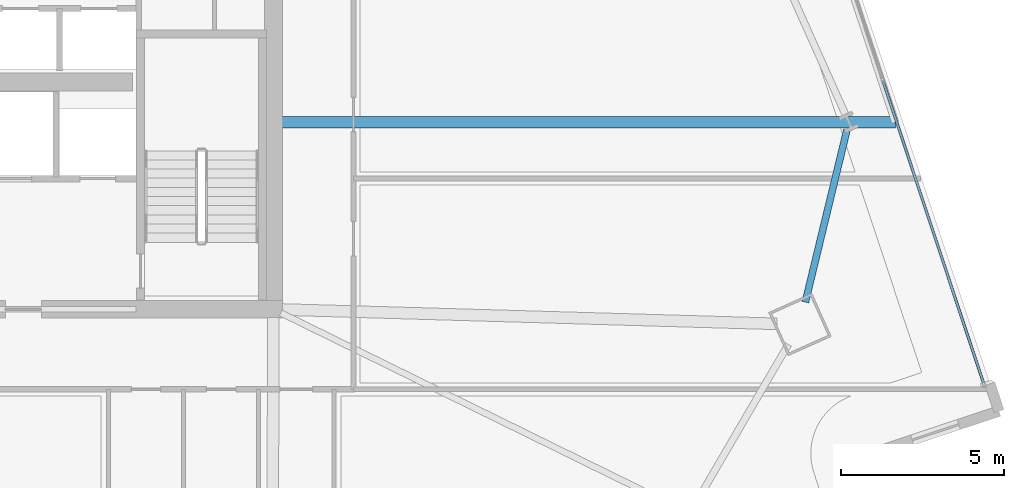
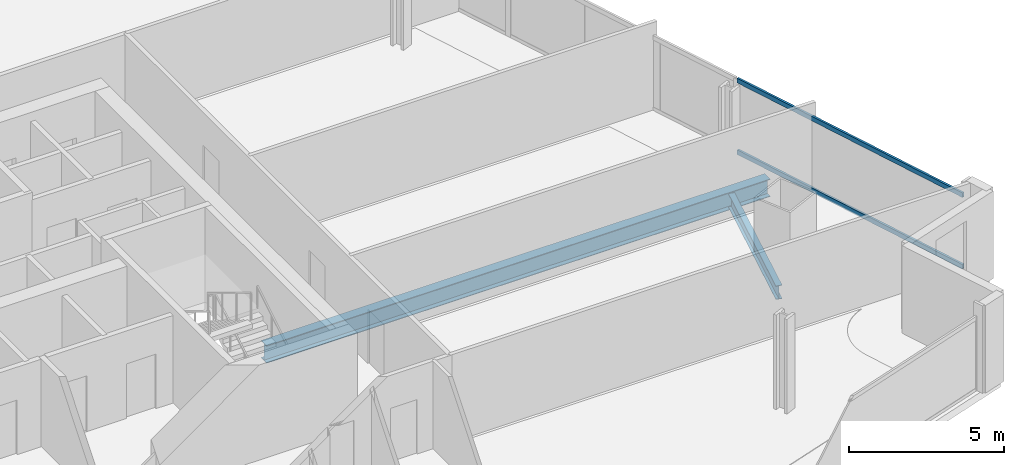
# One storey, part 13 of 34: 2 beams, 2 members, 1 element without a shape of its own.
"""IFC4 building model written with IfcOpenShell, lengths in metres."""

from ifc_helpers import new_model, si_unit, direction, frame, origin, origin_2d, place, context, subcontext, project, spatial, hollow_rectangle, i_section, extrude, material, material_profile, profile_set, type_object, element, aggregate, save


model = new_model("IFC4")

# Units and contexts
model_context = context("Model", 3, precision=1e-05, world=origin(), true_north=direction((0.0, 1.0)))
body_context = subcontext(model_context, "Body", "Model", "MODEL_VIEW")
ifc_project = project(units=[si_unit("LENGTHUNIT", "METRE"), si_unit("AREAUNIT", "SQUARE_METRE"), si_unit("VOLUMEUNIT", "CUBIC_METRE"), si_unit("PLANEANGLEUNIT", "RADIAN"), si_unit("MASSUNIT", "GRAM", prefix="KILO")], contexts=[model_context])

# Site, building, storey
site_placement = place(None, origin())
site = spatial("IfcSite", under=ifc_project, at=site_placement, CompositionType="ELEMENT")
building_placement = place(site_placement, origin())
building = spatial("IfcBuilding", under=site, at=building_placement, Name="Haldenkirk Collegiate Tower", CompositionType="ELEMENT")
storey_placement = place(building_placement, frame((0.0, 0.0, 90.449951171875)))
storey = spatial("IfcBuildingStorey", under=building, at=storey_placement, Name="L21", CompositionType="ELEMENT", Elevation=90.449951171875)

# Beams
ifc_material_1 = material(Name="Steel ASTM A992 Grade 50", Category="steel")
ifc_material_profile_1 = material_profile(ifc_material_1, i_section(OverallWidth=0.35498046875, OverallDepth=0.696044921875, WebThickness=0.015380859375, FlangeThickness=0.02490234375, at=origin_2d()), Name="W27X146")
ifc_profile_set_1 = profile_set([ifc_material_profile_1], Name="Steel ASTM A992 Grade 50")
beam_type_1 = type_object("IfcBeamType", Name="BM-GIRDER-W27X146", PredefinedType="BEAM", material=ifc_profile_set_1)
beam_1_placement = place(storey_placement, frame((64.030517578125, 23.727294921875, -0.64794921875), z_axis=(-1.0, 0.0, 0.0), x_axis=(0.0, -1.0, 0.0)))
element("IfcBeam", 1, at=beam_1_placement, inside=storey, type_object=beam_type_1, Name="L21 primary floor girder 08", PredefinedType="BEAM", context=body_context, shape_type="SweptSolid", body=[
    extrude(i_section(OverallWidth=0.35498046875, OverallDepth=0.696044921875, WebThickness=0.015380859375, FlangeThickness=0.02490234375, at=origin_2d()), origin(), (0.0, 0.0, 1.0), 18.775634765625),
])
ifc_material_profile_2 = material_profile(ifc_material_1, i_section(OverallWidth=0.2119140625, OverallDepth=0.5439453125, WebThickness=0.01318359375, FlangeThickness=0.021240234375, at=origin_2d()), Name="W21X83")
ifc_profile_set_2 = profile_set([ifc_material_profile_2], Name="Steel ASTM A992 Grade 50")
beam_type_2 = type_object("IfcBeamType", Name="BM-SPANDREL-W21X83", PredefinedType="SPANDREL", material=ifc_profile_set_2)
beam_2_placement = place(storey_placement, frame((61.277587890625, 18.21826171875, -0.572021484375), z_axis=(0.234815122269, 0.972040049768, 0.0), x_axis=(-0.972040049768, 0.234815122269, 0.0)))
element("IfcBeam", 2, at=beam_2_placement, inside=storey, type_object=beam_type_2, Name="L21 perimeter spandrel beam 05", PredefinedType="SPANDREL", context=body_context, shape_type="SweptSolid", body=[
    extrude(i_section(OverallWidth=0.2119140625, OverallDepth=0.5439453125, WebThickness=0.01318359375, FlangeThickness=0.021240234375, at=origin_2d()), origin(), (0.0, 0.0, 1.0), 5.422119140625),
])

# Curtain wall, members
ifc_material_2 = material(Name="Anodised architectural bronze aluminium", Category="aluminium")
curtain_wall_type = type_object("IfcCurtainWallType", Name="CW-SYS1-CONVEX-LOW", PredefinedType="USERDEFINED", material=ifc_material_2)
curtain_wall_placement = place(storey_placement, origin())
curtain_wall = element("IfcCurtainWall", 3, at=curtain_wall_placement, inside=storey, type_object=curtain_wall_type, Name="L21 Lower tower convex bronze-framed unitised curtain wall", ObjectType="UNITISED CURTAIN WALL", PredefinedType="USERDEFINED")
ifc_material_profile_3 = material_profile(ifc_material_2, hollow_rectangle(XDim=0.080078125, YDim=0.179931640625, WallThickness=0.0048828125, at=origin_2d()), Name="CW-TRN-1A")
ifc_profile_set_3 = profile_set([ifc_material_profile_3], Name="Anodised architectural bronze aluminium")
member_type = type_object("IfcMemberType", Name="CW-TRN-1A", PredefinedType="USERDEFINED", material=ifc_profile_set_3)
member_1_placement = place(storey_placement, frame((63.653564453125, 24.987060546875, 0.0400390625), z_axis=(0.315648098803, -0.948876323723, 0.0), x_axis=(0.948876323723, 0.315648098803, 0.0)))
member_1 = element("IfcMember", 4, at=member_1_placement, type_object=member_type, Name="CW-1A transom 4.1", ObjectType="TRANSOM", PredefinedType="USERDEFINED", context=body_context, shape_type="SweptSolid", body=[
    extrude(hollow_rectangle(XDim=0.080078125, YDim=0.179931640625, WallThickness=0.0048828125, at=origin_2d()), origin(), (0.0, 0.0, 1.0), 9.730224609375),
])
member_2_placement = place(storey_placement, frame((63.653564453125, 24.987060546875, 2.861083984375), z_axis=(0.315648098803, -0.948876323723, 0.0), x_axis=(0.948876323723, 0.315648098803, 0.0)))
member_2 = element("IfcMember", 5, at=member_2_placement, type_object=member_type, Name="CW-1A transom 4.2", ObjectType="TRANSOM", PredefinedType="USERDEFINED", context=body_context, shape_type="SweptSolid", body=[
    extrude(hollow_rectangle(XDim=0.080078125, YDim=0.179931640625, WallThickness=0.0048828125, at=origin_2d()), origin(), (0.0, 0.0, 1.0), 9.730224609375),
])
aggregate(curtain_wall, [member_1, member_2])

save(model, "model.ifc")
